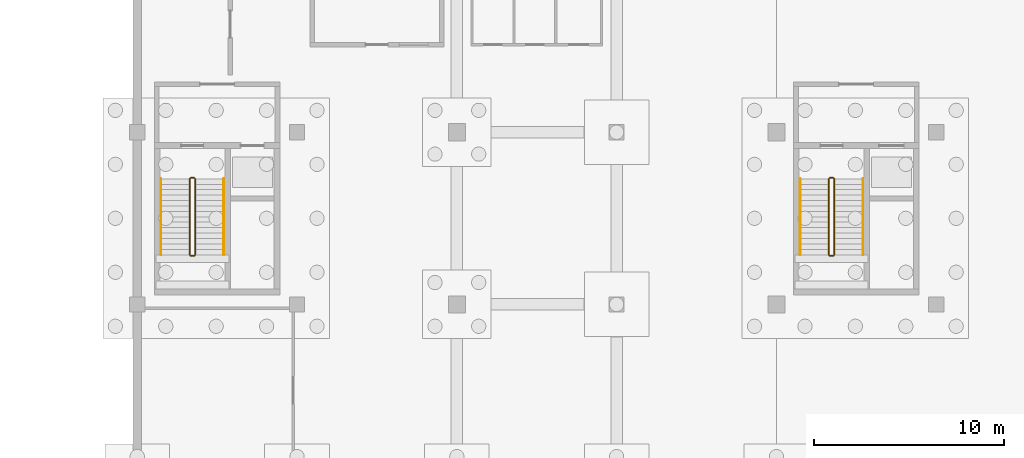
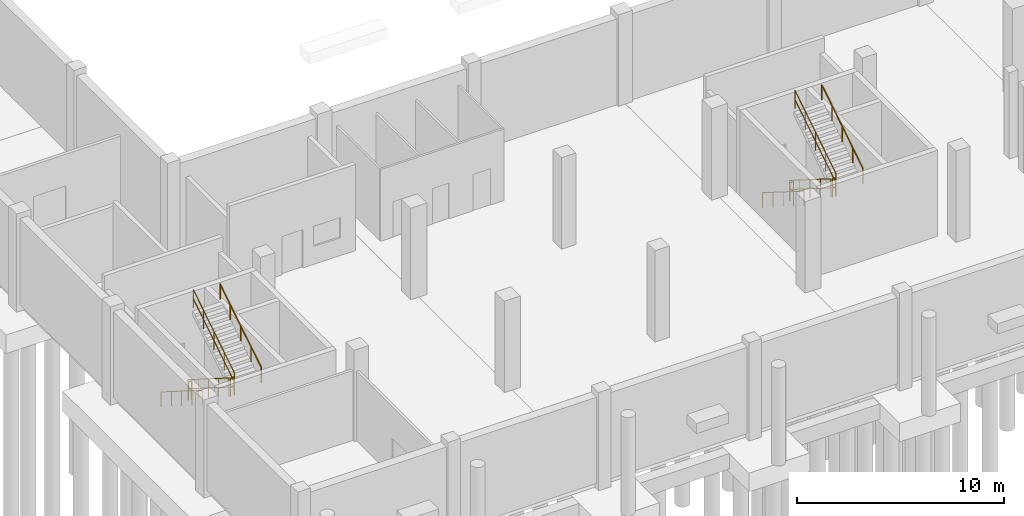
# One storey, part 14 of 18: 12 railings.
"""IFC4 building model written with IfcOpenShell, lengths in metres."""

from ifc_helpers import new_model, si_unit, direction, frame, origin, origin_2d, place, context, subcontext, project, spatial, circle, extrude, material, type_object, element, save


model = new_model("IFC4")

# Units and contexts
model_context = context("Model", 3, precision=1e-05, world=origin(), true_north=direction((0.0, 1.0)))
body_context = subcontext(model_context, "Body", "Model", "MODEL_VIEW")
ifc_project = project(units=[si_unit("LENGTHUNIT", "METRE"), si_unit("AREAUNIT", "SQUARE_METRE"), si_unit("VOLUMEUNIT", "CUBIC_METRE"), si_unit("PLANEANGLEUNIT", "RADIAN"), si_unit("MASSUNIT", "GRAM", prefix="KILO")], contexts=[model_context])

# Site, building, storey
site_placement = place(None, origin())
site = spatial("IfcSite", under=ifc_project, at=site_placement, CompositionType="ELEMENT")
building_placement = place(site_placement, origin())
building = spatial("IfcBuilding", under=site, at=building_placement, Name="Khurvash Pelagic Aquarium", CompositionType="ELEMENT")
storey_placement = place(building_placement, frame((0.0, 0.0, -5.39990234375)))
storey = spatial("IfcBuildingStorey", under=building, at=storey_placement, Name="B1", CompositionType="ELEMENT", Elevation=-5.39990234375)

# Railings
ifc_material_1 = material(Name="Powder-coated galvanised steel S355J2", Category="steel")
railing_type_1 = type_object("IfcRailingType", Name="GR-01", PredefinedType="GUARDRAIL", material=ifc_material_1)
railing_1_placement = place(storey_placement, frame((27.949951171875, 18.25, 0.179931640625)))
element("IfcRailing", 1, at=railing_1_placement, inside=storey, type_object=railing_type_1, Name="B1 ST-01 stair guard 1", PredefinedType="GUARDRAIL", context=body_context, shape_type="SweptSolid", body=[
    extrude(circle(Radius=0.02392578125, at=origin_2d()), frame((0.0, 0.0, 1.076171875), z_axis=(0.0, -0.845486444383, 0.533996884227), x_axis=(1.0, 0.0, 0.0)), (0.0, 0.0, 1.0), 4.71923828125),
    extrude(circle(Radius=0.02392578125, at=origin_2d()), frame((0.0, 0.0, 0.5380859375), z_axis=(0.0, -0.845486444383, 0.533996884227), x_axis=(1.0, 0.0, 0.0)), (0.0, 0.0, 1.0), 4.71923828125),
    extrude(circle(Radius=0.02099609375, at=origin_2d()), origin(), (0.0, 0.0, 1.0), 1.052001953125),
    extrude(circle(Radius=0.02099609375, at=origin_2d()), frame((0.0, -0.99755859375, 0.6298828125)), (0.0, 0.0, 1.0), 1.052001953125),
    extrude(circle(Radius=0.02099609375, at=origin_2d()), frame((0.0, -1.9951171875, 1.260009765625)), (0.0, 0.0, 1.0), 1.052001953125),
    extrude(circle(Radius=0.02099609375, at=origin_2d()), frame((0.0, -2.992431640625, 1.89013671875)), (0.0, 0.0, 1.0), 1.052001953125),
    extrude(circle(Radius=0.02099609375, at=origin_2d()), frame((0.0, -3.989990234375, 2.52001953125)), (0.0, 0.0, 1.0), 1.052001953125),
])
railing_2_placement = place(storey_placement, frame((28.0, 14.2099609375, 2.699951171875)))
element("IfcRailing", 2, at=railing_2_placement, inside=storey, type_object=railing_type_1, Name="B1 ST-01 stair guard 2", PredefinedType="GUARDRAIL", context=body_context, shape_type="SweptSolid", body=[
    extrude(circle(Radius=0.02392578125, at=origin_2d()), frame((0.0, 0.0, 1.076171875), z_axis=(1.0, 0.0, 0.0), x_axis=(0.0, 1.0, 0.0)), (0.0, 0.0, 1.0), 0.199951171875),
    extrude(circle(Radius=0.02392578125, at=origin_2d()), frame((0.0, 0.0, 0.5380859375), z_axis=(1.0, 0.0, 0.0), x_axis=(0.0, 1.0, 0.0)), (0.0, 0.0, 1.0), 0.199951171875),
    extrude(circle(Radius=0.02099609375, at=origin_2d()), origin(), (0.0, 0.0, 1.0), 1.052001953125),
    extrude(circle(Radius=0.02099609375, at=origin_2d()), frame((0.199951171875, 0.0, 0.0)), (0.0, 0.0, 1.0), 1.052001953125),
])
railing_3_placement = place(storey_placement, frame((28.25, 14.260009765625, 2.8798828125)))
element("IfcRailing", 3, at=railing_3_placement, inside=storey, type_object=railing_type_1, Name="B1 ST-01 stair guard 3", PredefinedType="GUARDRAIL", context=body_context, shape_type="SweptSolid", body=[
    extrude(circle(Radius=0.02392578125, at=origin_2d()), frame((0.0, 0.0, 1.076171875), z_axis=(0.0, 0.845486444383, 0.533996884227), x_axis=(-1.0, 0.0, 0.0)), (0.0, 0.0, 1.0), 4.71923828125),
    extrude(circle(Radius=0.02392578125, at=origin_2d()), frame((0.0, 0.0, 0.5380859375), z_axis=(0.0, 0.845486444383, 0.533996884227), x_axis=(-1.0, 0.0, 0.0)), (0.0, 0.0, 1.0), 4.71923828125),
    extrude(circle(Radius=0.02099609375, at=origin_2d()), origin(), (0.0, 0.0, 1.0), 1.052001953125),
    extrude(circle(Radius=0.02099609375, at=origin_2d()), frame((0.0, 0.99755859375, 0.6298828125)), (0.0, 0.0, 1.0), 1.052001953125),
    extrude(circle(Radius=0.02099609375, at=origin_2d()), frame((0.0, 1.9951171875, 1.260009765625)), (0.0, 0.0, 1.0), 1.052001953125),
    extrude(circle(Radius=0.02099609375, at=origin_2d()), frame((0.0, 2.992431640625, 1.89013671875)), (0.0, 0.0, 1.0), 1.052001953125),
    extrude(circle(Radius=0.02099609375, at=origin_2d()), frame((0.0, 3.989990234375, 2.52001953125)), (0.0, 0.0, 1.0), 1.052001953125),
])
railing_4_placement = place(storey_placement, frame((28.0, 18.300048828125, 0.0)))
element("IfcRailing", 4, at=railing_4_placement, inside=storey, type_object=railing_type_1, Name="B1 ST-01 stair guard 4", PredefinedType="GUARDRAIL", context=body_context, shape_type="SweptSolid", body=[
    extrude(circle(Radius=0.02392578125, at=origin_2d()), frame((0.0, 0.0, 1.076171875), z_axis=(1.0, 0.0, 0.0), x_axis=(0.0, 1.0, 0.0)), (0.0, 0.0, 1.0), 0.199951171875),
    extrude(circle(Radius=0.02392578125, at=origin_2d()), frame((0.0, 0.0, 0.5380859375), z_axis=(1.0, 0.0, 0.0), x_axis=(0.0, 1.0, 0.0)), (0.0, 0.0, 1.0), 0.199951171875),
    extrude(circle(Radius=0.02099609375, at=origin_2d()), origin(), (0.0, 0.0, 1.0), 1.052001953125),
    extrude(circle(Radius=0.02099609375, at=origin_2d()), frame((0.199951171875, 0.0, 0.0)), (0.0, 0.0, 1.0), 1.052001953125),
])
railing_5_placement = place(storey_placement, frame((61.550048828125, 18.25, 0.179931640625)))
element("IfcRailing", 5, at=railing_5_placement, inside=storey, type_object=railing_type_1, Name="B1 ST-02 stair guard 1", PredefinedType="GUARDRAIL", context=body_context, shape_type="SweptSolid", body=[
    extrude(circle(Radius=0.02392578125, at=origin_2d()), frame((0.0, 0.0, 1.076171875), z_axis=(0.0, -0.845486444383, 0.533996884227), x_axis=(1.0, 0.0, 0.0)), (0.0, 0.0, 1.0), 4.71923828125),
    extrude(circle(Radius=0.02392578125, at=origin_2d()), frame((0.0, 0.0, 0.5380859375), z_axis=(0.0, -0.845486444383, 0.533996884227), x_axis=(1.0, 0.0, 0.0)), (0.0, 0.0, 1.0), 4.71923828125),
    extrude(circle(Radius=0.02099609375, at=origin_2d()), origin(), (0.0, 0.0, 1.0), 1.052001953125),
    extrude(circle(Radius=0.02099609375, at=origin_2d()), frame((0.0, -0.99755859375, 0.6298828125)), (0.0, 0.0, 1.0), 1.052001953125),
    extrude(circle(Radius=0.02099609375, at=origin_2d()), frame((0.0, -1.9951171875, 1.260009765625)), (0.0, 0.0, 1.0), 1.052001953125),
    extrude(circle(Radius=0.02099609375, at=origin_2d()), frame((0.0, -2.992431640625, 1.89013671875)), (0.0, 0.0, 1.0), 1.052001953125),
    extrude(circle(Radius=0.02099609375, at=origin_2d()), frame((0.0, -3.989990234375, 2.52001953125)), (0.0, 0.0, 1.0), 1.052001953125),
])
railing_6_placement = place(storey_placement, frame((61.60009765625, 14.2099609375, 2.699951171875)))
element("IfcRailing", 6, at=railing_6_placement, inside=storey, type_object=railing_type_1, Name="B1 ST-02 stair guard 2", PredefinedType="GUARDRAIL", context=body_context, shape_type="SweptSolid", body=[
    extrude(circle(Radius=0.02392578125, at=origin_2d()), frame((0.0, 0.0, 1.076171875), z_axis=(1.0, 0.0, 0.0), x_axis=(0.0, 1.0, 0.0)), (0.0, 0.0, 1.0), 0.199951171875),
    extrude(circle(Radius=0.02392578125, at=origin_2d()), frame((0.0, 0.0, 0.5380859375), z_axis=(1.0, 0.0, 0.0), x_axis=(0.0, 1.0, 0.0)), (0.0, 0.0, 1.0), 0.199951171875),
    extrude(circle(Radius=0.02099609375, at=origin_2d()), origin(), (0.0, 0.0, 1.0), 1.052001953125),
    extrude(circle(Radius=0.02099609375, at=origin_2d()), frame((0.199951171875, 0.0, 0.0)), (0.0, 0.0, 1.0), 1.052001953125),
])
railing_7_placement = place(storey_placement, frame((61.85009765625, 14.260009765625, 2.8798828125)))
element("IfcRailing", 7, at=railing_7_placement, inside=storey, type_object=railing_type_1, Name="B1 ST-02 stair guard 3", PredefinedType="GUARDRAIL", context=body_context, shape_type="SweptSolid", body=[
    extrude(circle(Radius=0.02392578125, at=origin_2d()), frame((0.0, 0.0, 1.076171875), z_axis=(0.0, 0.845486444383, 0.533996884227), x_axis=(-1.0, 0.0, 0.0)), (0.0, 0.0, 1.0), 4.71923828125),
    extrude(circle(Radius=0.02392578125, at=origin_2d()), frame((0.0, 0.0, 0.5380859375), z_axis=(0.0, 0.845486444383, 0.533996884227), x_axis=(-1.0, 0.0, 0.0)), (0.0, 0.0, 1.0), 4.71923828125),
    extrude(circle(Radius=0.02099609375, at=origin_2d()), origin(), (0.0, 0.0, 1.0), 1.052001953125),
    extrude(circle(Radius=0.02099609375, at=origin_2d()), frame((0.0, 0.99755859375, 0.6298828125)), (0.0, 0.0, 1.0), 1.052001953125),
    extrude(circle(Radius=0.02099609375, at=origin_2d()), frame((0.0, 1.9951171875, 1.260009765625)), (0.0, 0.0, 1.0), 1.052001953125),
    extrude(circle(Radius=0.02099609375, at=origin_2d()), frame((0.0, 2.992431640625, 1.89013671875)), (0.0, 0.0, 1.0), 1.052001953125),
    extrude(circle(Radius=0.02099609375, at=origin_2d()), frame((0.0, 3.989990234375, 2.52001953125)), (0.0, 0.0, 1.0), 1.052001953125),
])
railing_8_placement = place(storey_placement, frame((61.60009765625, 18.300048828125, 0.0)))
element("IfcRailing", 8, at=railing_8_placement, inside=storey, type_object=railing_type_1, Name="B1 ST-02 stair guard 4", PredefinedType="GUARDRAIL", context=body_context, shape_type="SweptSolid", body=[
    extrude(circle(Radius=0.02392578125, at=origin_2d()), frame((0.0, 0.0, 1.076171875), z_axis=(1.0, 0.0, 0.0), x_axis=(0.0, 1.0, 0.0)), (0.0, 0.0, 1.0), 0.199951171875),
    extrude(circle(Radius=0.02392578125, at=origin_2d()), frame((0.0, 0.0, 0.5380859375), z_axis=(1.0, 0.0, 0.0), x_axis=(0.0, 1.0, 0.0)), (0.0, 0.0, 1.0), 0.199951171875),
    extrude(circle(Radius=0.02099609375, at=origin_2d()), origin(), (0.0, 0.0, 1.0), 1.052001953125),
    extrude(circle(Radius=0.02099609375, at=origin_2d()), frame((0.199951171875, 0.0, 0.0)), (0.0, 0.0, 1.0), 1.052001953125),
])
ifc_material_2 = material(Name="Brushed stainless steel 316", Category="steel")
railing_type_2 = type_object("IfcRailingType", Name="HR-01", PredefinedType="HANDRAIL", material=ifc_material_2)
railing_9_placement = place(storey_placement, frame((26.449951171875, 18.25, 0.179931640625)))
element("IfcRailing", 9, at=railing_9_placement, inside=storey, type_object=railing_type_2, Name="B1 ST-01 stair handrail 1", PredefinedType="HANDRAIL", context=body_context, shape_type="SweptSolid", body=[
    extrude(circle(Radius=0.02392578125, at=origin_2d()), frame((0.0, 0.0, 0.8759765625), z_axis=(0.0, -0.845486444383, 0.533996884227), x_axis=(1.0, 0.0, 0.0)), (0.0, 0.0, 1.0), 4.71923828125),
    extrude(circle(Radius=0.02099609375, at=origin_2d()), origin(), (0.0, 0.0, 1.0), 0.851806640625),
    extrude(circle(Radius=0.02099609375, at=origin_2d()), frame((0.0, -0.99755859375, 0.6298828125)), (0.0, 0.0, 1.0), 0.851806640625),
    extrude(circle(Radius=0.02099609375, at=origin_2d()), frame((0.0, -1.9951171875, 1.260009765625)), (0.0, 0.0, 1.0), 0.851806640625),
    extrude(circle(Radius=0.02099609375, at=origin_2d()), frame((0.0, -2.992431640625, 1.89013671875)), (0.0, 0.0, 1.0), 0.851806640625),
    extrude(circle(Radius=0.02099609375, at=origin_2d()), frame((0.0, -3.989990234375, 2.52001953125)), (0.0, 0.0, 1.0), 0.851806640625),
])
railing_10_placement = place(storey_placement, frame((29.75, 14.260009765625, 2.8798828125)))
element("IfcRailing", 10, at=railing_10_placement, inside=storey, type_object=railing_type_2, Name="B1 ST-01 stair handrail 2", PredefinedType="HANDRAIL", context=body_context, shape_type="SweptSolid", body=[
    extrude(circle(Radius=0.02392578125, at=origin_2d()), frame((0.0, 0.0, 0.8759765625), z_axis=(0.0, 0.845486444383, 0.533996884227), x_axis=(-1.0, 0.0, 0.0)), (0.0, 0.0, 1.0), 4.71923828125),
    extrude(circle(Radius=0.02099609375, at=origin_2d()), origin(), (0.0, 0.0, 1.0), 0.851806640625),
    extrude(circle(Radius=0.02099609375, at=origin_2d()), frame((0.0, 0.99755859375, 0.6298828125)), (0.0, 0.0, 1.0), 0.851806640625),
    extrude(circle(Radius=0.02099609375, at=origin_2d()), frame((0.0, 1.9951171875, 1.260009765625)), (0.0, 0.0, 1.0), 0.851806640625),
    extrude(circle(Radius=0.02099609375, at=origin_2d()), frame((0.0, 2.992431640625, 1.89013671875)), (0.0, 0.0, 1.0), 0.851806640625),
    extrude(circle(Radius=0.02099609375, at=origin_2d()), frame((0.0, 3.989990234375, 2.52001953125)), (0.0, 0.0, 1.0), 0.851806640625),
])
railing_11_placement = place(storey_placement, frame((60.050048828125, 18.25, 0.179931640625)))
element("IfcRailing", 11, at=railing_11_placement, inside=storey, type_object=railing_type_2, Name="B1 ST-02 stair handrail 1", PredefinedType="HANDRAIL", context=body_context, shape_type="SweptSolid", body=[
    extrude(circle(Radius=0.02392578125, at=origin_2d()), frame((0.0, 0.0, 0.8759765625), z_axis=(0.0, -0.845486444383, 0.533996884227), x_axis=(1.0, 0.0, 0.0)), (0.0, 0.0, 1.0), 4.71923828125),
    extrude(circle(Radius=0.02099609375, at=origin_2d()), origin(), (0.0, 0.0, 1.0), 0.851806640625),
    extrude(circle(Radius=0.02099609375, at=origin_2d()), frame((0.0, -0.99755859375, 0.6298828125)), (0.0, 0.0, 1.0), 0.851806640625),
    extrude(circle(Radius=0.02099609375, at=origin_2d()), frame((0.0, -1.9951171875, 1.260009765625)), (0.0, 0.0, 1.0), 0.851806640625),
    extrude(circle(Radius=0.02099609375, at=origin_2d()), frame((0.0, -2.992431640625, 1.89013671875)), (0.0, 0.0, 1.0), 0.851806640625),
    extrude(circle(Radius=0.02099609375, at=origin_2d()), frame((0.0, -3.989990234375, 2.52001953125)), (0.0, 0.0, 1.0), 0.851806640625),
])
railing_12_placement = place(storey_placement, frame((63.35009765625, 14.260009765625, 2.8798828125)))
element("IfcRailing", 12, at=railing_12_placement, inside=storey, type_object=railing_type_2, Name="B1 ST-02 stair handrail 2", PredefinedType="HANDRAIL", context=body_context, shape_type="SweptSolid", body=[
    extrude(circle(Radius=0.02392578125, at=origin_2d()), frame((0.0, 0.0, 0.8759765625), z_axis=(0.0, 0.845486444383, 0.533996884227), x_axis=(-1.0, 0.0, 0.0)), (0.0, 0.0, 1.0), 4.71923828125),
    extrude(circle(Radius=0.02099609375, at=origin_2d()), origin(), (0.0, 0.0, 1.0), 0.851806640625),
    extrude(circle(Radius=0.02099609375, at=origin_2d()), frame((0.0, 0.99755859375, 0.6298828125)), (0.0, 0.0, 1.0), 0.851806640625),
    extrude(circle(Radius=0.02099609375, at=origin_2d()), frame((0.0, 1.9951171875, 1.260009765625)), (0.0, 0.0, 1.0), 0.851806640625),
    extrude(circle(Radius=0.02099609375, at=origin_2d()), frame((0.0, 2.992431640625, 1.89013671875)), (0.0, 0.0, 1.0), 0.851806640625),
    extrude(circle(Radius=0.02099609375, at=origin_2d()), frame((0.0, 3.989990234375, 2.52001953125)), (0.0, 0.0, 1.0), 0.851806640625),
])

save(model, "model.ifc")
